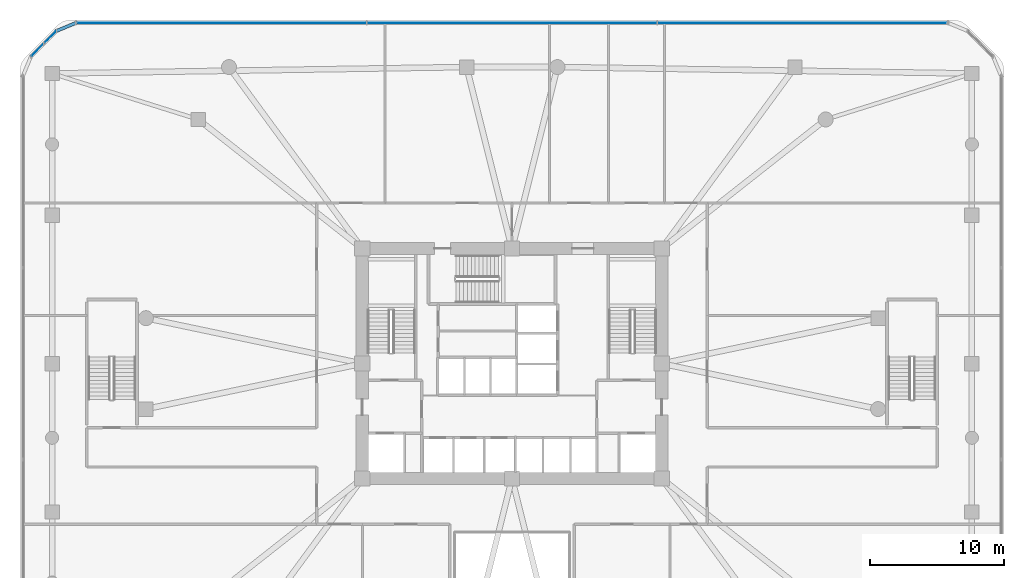
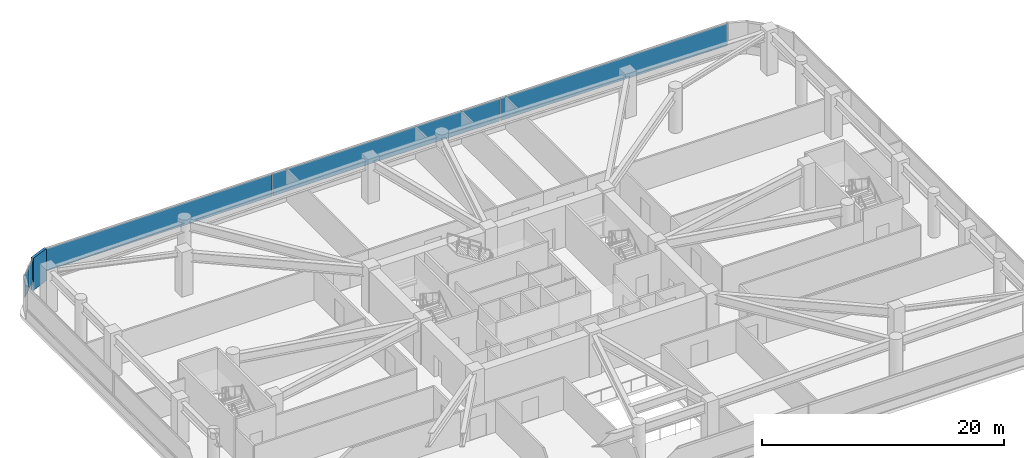
# One storey, part 14 of 21: 6 plates, 2 elements without a shape of their own.
"""IFC4 building model written with IfcOpenShell, lengths in metres."""

from ifc_helpers import new_model, si_unit, derived_unit, direction, frame, origin, origin_2d, place, context, subcontext, project, spatial, rectangle, extrude, material, layer, layer_set, type_object, element, aggregate, save


model = new_model("IFC4")

# Units and contexts
model_context = context("Model", 3, precision=1e-05, world=origin(), true_north=direction((0.0, 1.0)))
body_context = subcontext(model_context, "Body", "Model", "MODEL_VIEW")
ifc_project = project(units=[si_unit("LENGTHUNIT", "METRE"), si_unit("AREAUNIT", "SQUARE_METRE"), si_unit("VOLUMEUNIT", "CUBIC_METRE"), si_unit("PLANEANGLEUNIT", "RADIAN"), si_unit("MASSUNIT", "GRAM", prefix="KILO"), derived_unit("THERMALTRANSMITTANCEUNIT", [(si_unit("POWERUNIT", "WATT"), 1), (si_unit("LENGTHUNIT", "METRE"), -2), (si_unit("THERMODYNAMICTEMPERATUREUNIT", "KELVIN"), -1)])], contexts=[model_context])

# Site, building, storey
site_placement = place(None, origin())
site = spatial("IfcSite", under=ifc_project, at=site_placement, CompositionType="ELEMENT")
building_placement = place(site_placement, origin())
building = spatial("IfcBuilding", under=site, at=building_placement, Name="Koralith Skygarden Medical Center", CompositionType="ELEMENT")
storey_placement = place(building_placement, frame((0.0, 0.0, 5.39990234375)))
storey = spatial("IfcBuildingStorey", under=building, at=storey_placement, Name="L01", CompositionType="ELEMENT", Elevation=5.39990234375)

# Curtain wall, plates
ifc_material_1 = material(Name="Clear Laminated Glass", Category="glass")
curtain_wall_type = type_object("IfcCurtainWallType", Name="CW-1 Transit & Podium Acoustic Curtain Wall", PredefinedType="NOTDEFINED", material=ifc_material_1)
curtain_wall_1_placement = place(storey_placement, origin())
curtain_wall_1 = element("IfcCurtainWall", 1, at=curtain_wall_1_placement, inside=storey, type_object=curtain_wall_type, Name="Curtain Wall CW-L01-N", PredefinedType="NOTDEFINED")
ifc_layer_1 = layer(ifc_material_1, 0.030029296875)
ifc_layer_set_1 = layer_set([ifc_layer_1], Name="Clear Laminated Glass")
plate_type_1 = type_object("IfcPlateType", Name="CW-1 Hurricane Laminated IGU Panel 30", PredefinedType="CURTAIN_PANEL", material=ifc_layer_set_1)
plate_1_placement = place(storey_placement, frame((58.7470703125, 51.3798828125, 0.920166015625), z_axis=(0.0, 0.0, 1.0), x_axis=(-1.0, 0.0, 0.0)))
plate_1 = element("IfcPlate", 2, at=plate_1_placement, type_object=plate_type_1, Name="CW-L01-N Glazed Panel 1", PredefinedType="CURTAIN_PANEL", context=body_context, shape_type="SweptSolid", body=[
    extrude(rectangle(XDim=21.656982421875, YDim=0.030029296875, at=origin_2d()), origin(), (0.0, 0.0, 1.0), 2.25),
])
plate_2_placement = place(storey_placement, frame((37.0, 51.3798828125, 0.920166015625), z_axis=(0.0, 0.0, 1.0), x_axis=(-1.0, 0.0, 0.0)))
plate_2 = element("IfcPlate", 3, at=plate_2_placement, type_object=plate_type_1, Name="CW-L01-N Glazed Panel 2", PredefinedType="CURTAIN_PANEL", context=body_context, shape_type="SweptSolid", body=[
    extrude(rectangle(XDim=21.656982421875, YDim=0.030029296875, at=origin_2d()), origin(), (0.0, 0.0, 1.0), 2.25),
])
plate_3_placement = place(storey_placement, frame((15.2529296875, 51.3798828125, 0.920166015625), z_axis=(0.0, 0.0, 1.0), x_axis=(-1.0, 0.0, 0.0)))
plate_3 = element("IfcPlate", 4, at=plate_3_placement, type_object=plate_type_1, Name="CW-L01-N Glazed Panel 3", PredefinedType="CURTAIN_PANEL", context=body_context, shape_type="SweptSolid", body=[
    extrude(rectangle(XDim=21.656982421875, YDim=0.030029296875, at=origin_2d()), origin(), (0.0, 0.0, 1.0), 2.25),
])
aggregate(curtain_wall_1, [plate_1, plate_2, plate_3])

curtain_wall_2_placement = place(storey_placement, origin())
curtain_wall_2 = element("IfcCurtainWall", 5, at=curtain_wall_2_placement, inside=storey, type_object=curtain_wall_type, Name="Curtain Wall CW-L01-NW", PredefinedType="NOTDEFINED")
plate_4_placement = place(storey_placement, frame((2.450927734375, 50.302001953125, 0.920166015625), z_axis=(0.0, 0.0, 1.0), x_axis=(-0.707106781187, -0.707106781187, 0.0)))
plate_4 = element("IfcPlate", 6, at=plate_4_placement, type_object=plate_type_1, Name="CW-L01-NW Glazed Panel 1", PredefinedType="CURTAIN_PANEL", context=body_context, shape_type="SweptSolid", body=[
    extrude(rectangle(XDim=1.258056640625, YDim=0.030029296875, at=origin_2d()), origin(), (0.0, 0.0, 1.0), 2.25),
])
plate_5_placement = place(storey_placement, frame((1.498046875, 49.34912109375, 0.920166015625), z_axis=(0.0, 0.0, 1.0), x_axis=(-0.707106781187, -0.707106781187, 0.0)))
plate_5 = element("IfcPlate", 7, at=plate_5_placement, type_object=plate_type_1, Name="CW-L01-NW Glazed Panel 2", PredefinedType="CURTAIN_PANEL", context=body_context, shape_type="SweptSolid", body=[
    extrude(rectangle(XDim=1.258056640625, YDim=0.030029296875, at=origin_2d()), origin(), (0.0, 0.0, 1.0), 2.25),
])
aggregate(curtain_wall_2, [plate_4, plate_5])

# Plate
ifc_material_2 = material(Name="Warm Oolitic Limestone Cladding", Category="masonry")
ifc_layer_2 = layer(ifc_material_2, 0.239990234375)
ifc_layer_set_2 = layer_set([ifc_layer_2], Name="Warm Oolitic Limestone Cladding")
plate_type_2 = type_object("IfcPlateType", Name="Rounded-Corner Oolitic Limestone Cladding Panel 240", PredefinedType="USERDEFINED", material=ifc_layer_set_2)
plate_6_placement = place(storey_placement, frame((3.653076171875, 51.080078125, 0.0), z_axis=(0.0, 0.0, 1.0), x_axis=(-0.92388487569, -0.382670532536, 0.0)))
element("IfcPlate", 8, at=plate_6_placement, inside=storey, type_object=plate_type_2, Name="L01 Rounded-Corner Limestone Pier 5", ObjectType="LIMESTONE CLADDING", PredefinedType="USERDEFINED", context=body_context, shape_type="SweptSolid", body=[
    extrude(rectangle(XDim=1.81103515625, YDim=0.239990234375, at=origin_2d()), origin(), (0.0, 0.0, 1.0), 3.239990234375),
])

save(model, "model.ifc")
